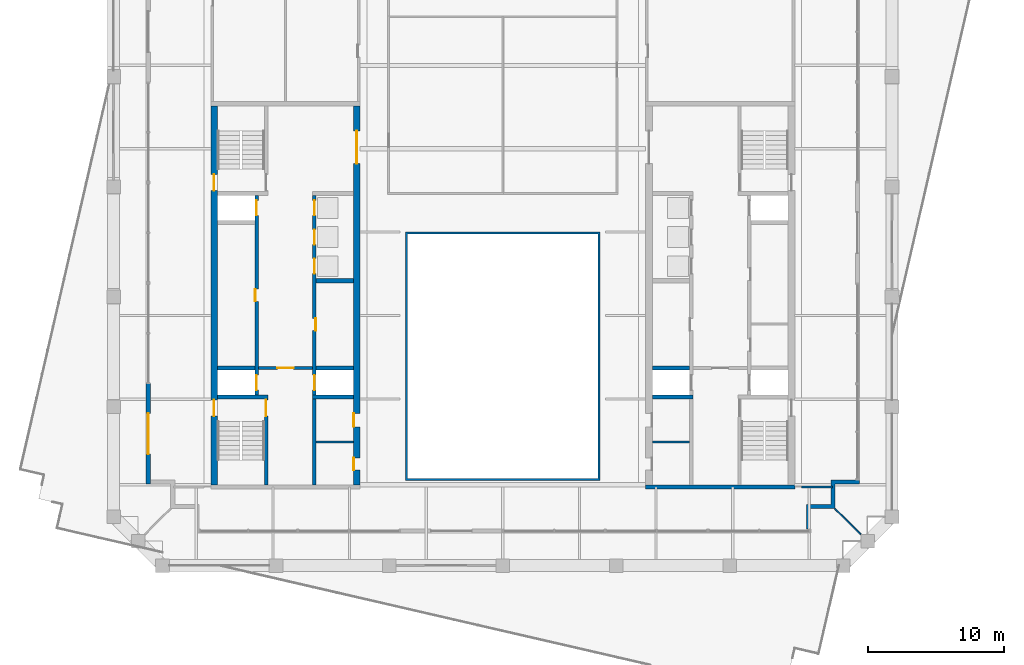
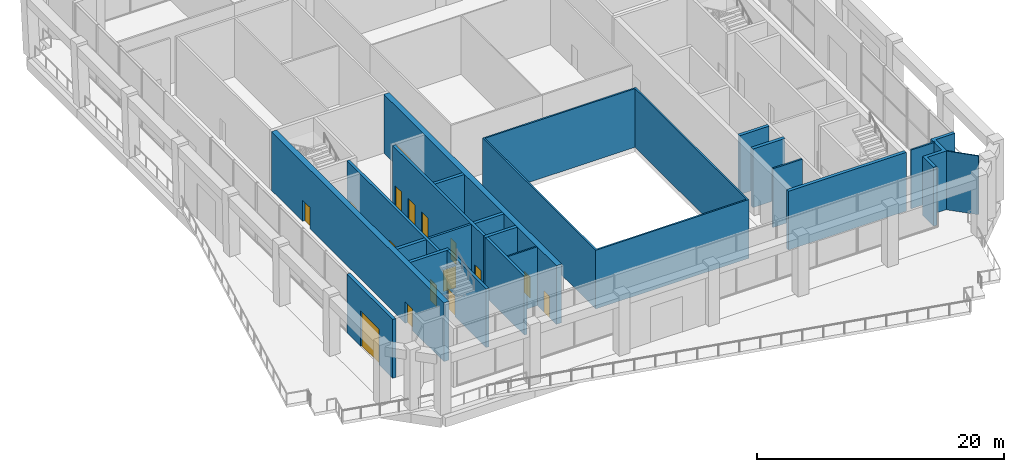
# One storey, part 11 of 20: 21 walls, 16 doors, 16 openings.
"""IFC4 building model written with IfcOpenShell, lengths in metres."""

from ifc_helpers import new_model, si_unit, direction, frame, frame_2d, origin, place, context, subcontext, project, spatial, polyline, rectangle, outline, extrude, material, layer, layer_set, type_object, element, fill, save


model = new_model("IFC4")

# Units and contexts
model_context = context("Model", 3, precision=1e-05, world=origin(), true_north=direction((0.0, 1.0)))
body_context = subcontext(model_context, "Body", "Model", "MODEL_VIEW")
ifc_project = project(units=[si_unit("LENGTHUNIT", "METRE"), si_unit("AREAUNIT", "SQUARE_METRE"), si_unit("VOLUMEUNIT", "CUBIC_METRE"), si_unit("PLANEANGLEUNIT", "RADIAN"), si_unit("MASSUNIT", "GRAM", prefix="KILO")], contexts=[model_context])

# Site, building, storey
site_placement = place(None, origin())
site = spatial("IfcSite", under=ifc_project, at=site_placement, CompositionType="ELEMENT")
building_placement = place(site_placement, origin())
building = spatial("IfcBuilding", under=site, at=building_placement, Name="Ogive Exchange Tower", CompositionType="ELEMENT")
storey_placement = place(building_placement, frame((0.0, 0.0, 303.0)))
storey = spatial("IfcBuildingStorey", under=building, at=storey_placement, Name="L66", CompositionType="ELEMENT", Elevation=303.0)

# Walls
ifc_material_1 = material(Name="Gypsum board partition")
ifc_layer_1 = layer(ifc_material_1, 0.14990234375)
ifc_layer_set_1 = layer_set([ifc_layer_1], Name="Core room partition 150 gypsum")
wall_type_1 = type_object("IfcWallType", Name="Core room partition 150 gypsum", PredefinedType="PARTITIONING", material=ifc_layer_set_1)
for number, where, z_axis, x_axis, name in (
    (1, (-13.75, 0.699951171875, 0.0), (0.0, 0.0, 1.0), (1.0, 0.0, 0.0), "W south room partition"),
    (2, (11.0, 0.699951171875, 0.0), (0.0, 0.0, 1.0), (1.0, 0.0, 0.0), "E south room partition"),
):
    element("IfcWall", number, at=place(storey_placement, frame(where, z_axis=z_axis, x_axis=x_axis)), inside=storey, type_object=wall_type_1, Name=name, PredefinedType="PARTITIONING", context=body_context, shape_type="SweptSolid", body=[
        extrude(rectangle(XDim=2.75, YDim=0.14990234375, at=frame_2d((1.375, 0.0))), origin(), (0.0, 0.0, 1.0), 5.800048828125),
    ])
ifc_material_2 = material(Name="Fire partition EI 60 150")
ifc_layer_2 = layer(ifc_material_2, 0.14990234375)
ifc_layer_set_2 = layer_set([ifc_layer_2], Name="Fire partition EI 60 150")
wall_type_2 = type_object("IfcWallType", Name="Fire partition EI 60 150", PredefinedType="PARTITIONING", material=ifc_layer_set_2)
wall_1_placement = place(storey_placement, frame((22.0, -2.60009765625, 0.0), z_axis=(0.0, 0.0, 1.0), x_axis=(1.0, 0.0, 0.0)))
element("IfcWall", 3, at=wall_1_placement, inside=storey, type_object=wall_type_2, Name="L66-PWL-026", PredefinedType="PARTITIONING", context=body_context, shape_type="SweptSolid", body=[
    extrude(rectangle(XDim=2.25, YDim=0.14990234375, at=frame_2d((1.125, 0.0))), origin(), (0.0, 0.0, 1.0), 5.800048828125),
])
ifc_material_3 = material(Name="Fire-resisting glass in steel frame", Category="steel")
ifc_layer_3 = layer(ifc_material_3, 0.14990234375)
ifc_layer_set_3 = layer_set([ifc_layer_3], Name="Fire-rated glazed wall 150")
wall_type_3 = type_object("IfcWallType", Name="Fire-rated glazed wall 150", PredefinedType="STANDARD", material=ifc_layer_set_3)
wall_2_placement = place(storey_placement, origin())
element("IfcWall", 4, at=wall_2_placement, inside=storey, type_object=wall_type_3, Name="Nave enclosure wall", PredefinedType="STANDARD", context=body_context, shape_type="SweptSolid", body=[
    extrude(outline(polyline([(-7.14990234375, -2.14990234375), (7.14990234375, -2.14990234375), (7.14990234375, 16.14990234375), (-7.14990234375, 16.14990234375), (-7.14990234375, -2.14990234375)]), holes=[polyline([(-7.0, -2.0), (-7.0, 16.0), (7.0, 16.0), (7.0, -2.0), (-7.0, -2.0)])]), origin(), (0.0, 0.0, 1.0), 5.800048828125),
])

# Wall, opening, door
ifc_material_4 = material(Name="Precast concrete C40/50", Category="concrete")
ifc_layer_4 = layer(ifc_material_4, 0.300048828125)
ifc_layer_set_4 = layer_set([ifc_layer_4], Name="Limestone-faced wall 300")
wall_type_4 = type_object("IfcWallType", Name="Limestone-faced wall 300", PredefinedType="STANDARD", material=ifc_layer_set_4)
wall_3_placement = place(storey_placement, frame((-26.10009765625, 5.0, 0.0), z_axis=(0.0, 0.0, 1.0), x_axis=(0.0, -1.0, 0.0)))
wall_3 = element("IfcWall", 5, at=wall_3_placement, inside=storey, type_object=wall_type_4, Name="External wall W6", PredefinedType="STANDARD", context=body_context, shape_type="SweptSolid", body=[
    extrude(rectangle(XDim=7.39990234375, YDim=0.300048828125, at=frame_2d((3.699951171875, 0.0))), origin(), (0.0, 0.0, 1.0), 5.800048828125),
])
opening_1_placement = place(wall_3_placement, frame((2.199951171875, 0.0, 0.0)))
opening_1 = element("IfcOpeningElement", 6, at=opening_1_placement, cuts=wall_3, Name="Opening D2", PredefinedType="OPENING", context=body_context, shape_type="SweptSolid", body=[
    extrude(rectangle(XDim=3.0, YDim=3.5, at=frame_2d((1.5, 1.75))), frame((0.0, 0.159912109375, 0.0), z_axis=(0.0, -1.0, 0.0), x_axis=(1.0, 0.0, 0.0)), (0.0, 0.0, 1.0), 0.320068359375),
])
ifc_material_5 = material(Name="Clear glass in bronze frame", Category="glass")
door_type_1 = type_object("IfcDoorType", Name="Winter garden sliding door 3000 x 3500", OperationType="DOUBLE_DOOR_SLIDING", PredefinedType="DOOR", material=ifc_material_5)
door_1_placement = place(opening_1_placement, origin())
door_1 = element("IfcDoor", 7, at=door_1_placement, inside=storey, type_object=door_type_1, Name="Loggia door W06", OperationType="DOUBLE_DOOR_SLIDING", OverallHeight=3.5, OverallWidth=3.0, PredefinedType="DOOR", context=body_context, shape_type="SweptSolid", body=[
    extrude(rectangle(XDim=3.0, YDim=3.5, at=frame_2d((1.5, 1.75))), frame((0.0, 0.02490234375, 0.0), z_axis=(0.0, -1.0, 0.0), x_axis=(1.0, 0.0, 0.0)), (0.0, 0.0, 1.0), 0.050048828125),
])
fill(opening_1, door_1)

# Walls
wall_4_placement = place(storey_placement, origin())
element("IfcWall", 8, at=wall_4_placement, inside=storey, type_object=wall_type_4, Name="External corner wall C1", PredefinedType="STANDARD", context=body_context, shape_type="SweptSolid", body=[
    extrude(outline(polyline([(24.14990234375, -3.89990234375), (24.14990234375, -2.10009765625), (26.25, -2.10009765625), (26.25, -2.39990234375), (24.449951171875, -2.39990234375), (24.449951171875, -4.199951171875), (22.64990234375, -4.199951171875), (22.64990234375, -5.699951171875), (22.35009765625, -5.699951171875), (22.35009765625, -3.89990234375), (24.14990234375, -3.89990234375)])), origin(), (0.0, 0.0, 1.0), 5.800048828125),
])
ifc_material_6 = material(Name="Laminated safety glass in steel frame", Category="steel")
ifc_layer_5 = layer(ifc_material_6, 0.10009765625)
ifc_layer_set_5 = layer_set([ifc_layer_5], Name="Loggia end screen 100")
wall_type_5 = type_object("IfcWallType", Name="Loggia end screen 100", PredefinedType="STANDARD", material=ifc_layer_set_5)
wall_5_placement = place(storey_placement, frame((24.449951171875, -4.199951171875, 0.0), z_axis=(0.0, 0.0, 1.0), x_axis=(0.707106781187, -0.707106781187, 0.0)))
element("IfcWall", 9, at=wall_5_placement, inside=storey, type_object=wall_type_5, Name="Loggia end screen C1", PredefinedType="STANDARD", context=body_context, shape_type="SweptSolid", body=[
    extrude(rectangle(XDim=2.667236328125, YDim=0.10009765625, at=frame_2d((1.33349609375, 0.0))), origin(), (0.0, 0.0, 1.0), 5.800048828125),
])

# Wall, opening, door
ifc_material_7 = material(Name="Concrete C70/85", Category="concrete")
ifc_layer_6 = layer(ifc_material_7, 0.199951171875)
ifc_layer_set_6 = layer_set([ifc_layer_6], Name="RC core wall 200 C70/85")
wall_type_6 = type_object("IfcWallType", Name="RC core wall 200 C70/85", PredefinedType="SHEAR", material=ifc_layer_set_6)
wall_6_placement = place(storey_placement, frame((-18.0, 6.142822265625, 0.0), z_axis=(0.0, 0.0, 1.0), x_axis=(1.0, 0.0, 0.0)))
wall_6 = element("IfcWall", 10, at=wall_6_placement, inside=storey, type_object=wall_type_6, Name="W firefighting lobby wall", PredefinedType="SHEAR", context=body_context, shape_type="SweptSolid", body=[
    extrude(rectangle(XDim=4.0, YDim=0.199951171875, at=frame_2d((2.0, 0.0))), origin(), (0.0, 0.0, 1.0), 5.800048828125),
])
opening_2_placement = place(wall_6_placement, frame((1.39990234375, 0.0, 0.0)))
opening_2 = element("IfcOpeningElement", 11, at=opening_2_placement, cuts=wall_6, Name="Opening L66-C09", PredefinedType="OPENING", context=body_context, shape_type="SweptSolid", body=[
    extrude(rectangle(XDim=1.199951171875, YDim=2.10009765625, at=frame_2d((0.60009765625, 1.050048828125))), frame((0.0, 0.10986328125, 0.0), z_axis=(0.0, -1.0, 0.0), x_axis=(1.0, 0.0, 0.0)), (0.0, 0.0, 1.0), 0.219970703125),
])
ifc_material_8 = material(Name="Steel fire door", Category="steel")
door_type_2 = type_object("IfcDoorType", Name="Firefighting lobby door FD60 1200 x 2100", OperationType="NOTDEFINED", PredefinedType="DOOR", material=ifc_material_8)
door_2_placement = place(opening_2_placement, frame((1.199951171875, 0.0, 0.0), z_axis=(0.0, 0.0, 1.0), x_axis=(-1.0, 0.0, 0.0)))
door_2 = element("IfcDoor", 12, at=door_2_placement, inside=storey, type_object=door_type_2, Name="Firefighting lobby door", ObjectType="CD3", OperationType="SINGLE_SWING_LEFT", OverallHeight=2.10009765625, OverallWidth=1.199951171875, PredefinedType="DOOR", context=body_context, shape_type="SweptSolid", body=[
    extrude(rectangle(XDim=1.199951171875, YDim=2.10009765625, at=frame_2d((0.60009765625, 1.050048828125))), frame((0.0, 0.02490234375, 0.0), z_axis=(0.0, -1.0, 0.0), x_axis=(1.0, 0.0, 0.0)), (0.0, 0.0, 1.0), 0.050048828125),
])
fill(opening_2, door_2)

ifc_layer_7 = layer(ifc_material_7, 0.25)
ifc_layer_set_7 = layer_set([ifc_layer_7], Name="RC core wall 250 C70/85")
wall_type_7 = type_object("IfcWallType", Name="RC core wall 250 C70/85", PredefinedType="SHEAR", material=ifc_layer_set_7)
wall_7_placement = place(storey_placement, frame((-17.425048828125, -2.449951171875, 0.0), z_axis=(0.0, 0.0, 1.0), x_axis=(0.0, 1.0, 0.0)))
wall_7 = element("IfcWall", 13, at=wall_7_placement, inside=storey, type_object=wall_type_7, Name="W stair S front wall", PredefinedType="SHEAR", context=body_context, shape_type="SweptSolid", body=[
    extrude(rectangle(XDim=6.300048828125, YDim=0.25, at=frame_2d((3.14990234375, 0.0))), origin(), (0.0, 0.0, 1.0), 5.800048828125),
])
opening_3_placement = place(wall_7_placement, frame((5.050048828125, 0.0, 0.0)))
opening_3 = element("IfcOpeningElement", 14, at=opening_3_placement, cuts=wall_7, Name="Opening L66-C11", PredefinedType="OPENING", context=body_context, shape_type="SweptSolid", body=[
    extrude(rectangle(XDim=1.199951171875, YDim=2.10009765625, at=frame_2d((0.60009765625, 1.050048828125))), frame((0.0, 0.135009765625, 0.0), z_axis=(0.0, -1.0, 0.0), x_axis=(1.0, 0.0, 0.0)), (0.0, 0.0, 1.0), 0.27001953125),
])
door_type_3 = type_object("IfcDoorType", Name="Stair door FD90 1200 x 2100", OperationType="NOTDEFINED", PredefinedType="DOOR", material=ifc_material_8)
door_3_placement = place(opening_3_placement, origin())
door_3 = element("IfcDoor", 15, at=door_3_placement, inside=storey, type_object=door_type_3, Name="Stair door", ObjectType="CD5", OperationType="SINGLE_SWING_LEFT", OverallHeight=2.10009765625, OverallWidth=1.199951171875, PredefinedType="DOOR", context=body_context, shape_type="SweptSolid", body=[
    extrude(rectangle(XDim=1.199951171875, YDim=2.10009765625, at=frame_2d((0.60009765625, 1.050048828125))), frame((0.0, 0.02490234375, 0.0), z_axis=(0.0, -1.0, 0.0), x_axis=(1.0, 0.0, 0.0)), (0.0, 0.0, 1.0), 0.050048828125),
])
fill(opening_3, door_3)

# Wall, openings, doors
wall_8_placement = place(storey_placement, frame((-18.125, 4.14990234375, 0.0), z_axis=(0.0, 0.0, 1.0), x_axis=(0.0, 1.0, 0.0)))
wall_8 = element("IfcWall", 16, at=wall_8_placement, inside=storey, type_object=wall_type_7, Name="W row A front wall", PredefinedType="SHEAR", context=body_context, shape_type="SweptSolid", body=[
    extrude(rectangle(XDim=14.7001953125, YDim=0.25, at=frame_2d((7.35009765625, 0.0))), origin(), (0.0, 0.0, 1.0), 5.800048828125),
])
opening_4_placement = place(wall_8_placement, frame((6.89990234375, 0.0, 0.0)))
opening_4 = element("IfcOpeningElement", 17, at=opening_4_placement, cuts=wall_8, Name="Opening L66-C01", PredefinedType="OPENING", context=body_context, shape_type="SweptSolid", body=[
    extrude(rectangle(XDim=0.89990234375, YDim=2.10009765625, at=frame_2d((0.449951171875, 1.050048828125))), frame((0.0, 0.135009765625, 0.0), z_axis=(0.0, -1.0, 0.0), x_axis=(1.0, 0.0, 0.0)), (0.0, 0.0, 1.0), 0.27001953125),
])
opening_5_placement = place(wall_8_placement, frame((0.371337890625, 0.0, 0.0)))
opening_5 = element("IfcOpeningElement", 18, at=opening_5_placement, cuts=wall_8, Name="Opening L66-C02", PredefinedType="OPENING", context=body_context, shape_type="SweptSolid", body=[
    extrude(rectangle(XDim=1.10009765625, YDim=2.10009765625, at=frame_2d((0.550048828125, 1.050048828125))), frame((0.0, 0.135009765625, 0.0), z_axis=(0.0, -1.0, 0.0), x_axis=(1.0, 0.0, 0.0)), (0.0, 0.0, 1.0), 0.27001953125),
])
opening_6_placement = place(wall_8_placement, frame((13.228515625, 0.0, 0.0)))
opening_6 = element("IfcOpeningElement", 19, at=opening_6_placement, cuts=wall_8, Name="Opening L66-C03", PredefinedType="OPENING", context=body_context, shape_type="SweptSolid", body=[
    extrude(rectangle(XDim=1.10009765625, YDim=2.10009765625, at=frame_2d((0.550048828125, 1.050048828125))), frame((0.0, 0.135009765625, 0.0), z_axis=(0.0, -1.0, 0.0), x_axis=(1.0, 0.0, 0.0)), (0.0, 0.0, 1.0), 0.27001953125),
])
ifc_material_9 = material(Name="Timber fire door", Category="wood")
door_type_4 = type_object("IfcDoorType", Name="Core room door FD30S 900 x 2100", OperationType="NOTDEFINED", PredefinedType="DOOR", material=ifc_material_9)
door_4_placement = place(opening_4_placement, origin())
door_4 = element("IfcDoor", 20, at=door_4_placement, inside=storey, type_object=door_type_4, Name="Core room door", ObjectType="CD6", OperationType="SINGLE_SWING_RIGHT", OverallHeight=2.10009765625, OverallWidth=0.89990234375, PredefinedType="DOOR", context=body_context, shape_type="SweptSolid", body=[
    extrude(rectangle(XDim=0.89990234375, YDim=2.10009765625, at=frame_2d((0.449951171875, 1.050048828125))), frame((0.0, 0.125, 0.0), z_axis=(0.0, -1.0, 0.0), x_axis=(1.0, 0.0, 0.0)), (0.0, 0.0, 1.0), 0.050048828125),
])
fill(opening_4, door_4)
ifc_material_10 = material(Name="Stainless steel", Category="steel")
door_type_5 = type_object("IfcDoorType", Name="Lift landing door FD90 1100 x 2100", OperationType="SLIDING_TO_LEFT", PredefinedType="DOOR", material=ifc_material_10)
door_5_placement = place(opening_5_placement, origin())
door_5 = element("IfcDoor", 21, at=door_5_placement, inside=storey, type_object=door_type_5, Name="Lift landing door FF1", ObjectType="LD", OperationType="SLIDING_TO_LEFT", OverallHeight=2.10009765625, OverallWidth=1.10009765625, PredefinedType="DOOR", context=body_context, shape_type="SweptSolid", body=[
    extrude(rectangle(XDim=1.10009765625, YDim=2.10009765625, at=frame_2d((0.550048828125, 1.050048828125))), frame((0.0, 0.02490234375, 0.0), z_axis=(0.0, -1.0, 0.0), x_axis=(1.0, 0.0, 0.0)), (0.0, 0.0, 1.0), 0.050048828125),
])
fill(opening_5, door_5)
door_6_placement = place(opening_6_placement, origin())
door_6 = element("IfcDoor", 22, at=door_6_placement, inside=storey, type_object=door_type_5, Name="Lift landing door W-SH2", ObjectType="LD", OperationType="SLIDING_TO_LEFT", OverallHeight=2.10009765625, OverallWidth=1.10009765625, PredefinedType="DOOR", context=body_context, shape_type="SweptSolid", body=[
    extrude(rectangle(XDim=1.10009765625, YDim=2.10009765625, at=frame_2d((0.550048828125, 1.050048828125))), frame((0.0, 0.02490234375, 0.0), z_axis=(0.0, -1.0, 0.0), x_axis=(1.0, 0.0, 0.0)), (0.0, 0.0, 1.0), 0.050048828125),
])
fill(opening_6, door_6)

wall_9_placement = place(storey_placement, frame((-13.875, -2.449951171875, 0.0), z_axis=(0.0, 0.0, 1.0), x_axis=(0.0, 1.0, 0.0)))
wall_9 = element("IfcWall", 23, at=wall_9_placement, inside=storey, type_object=wall_type_7, Name="W row B front wall", PredefinedType="SHEAR", context=body_context, shape_type="SweptSolid", body=[
    extrude(rectangle(XDim=21.300048828125, YDim=0.25, at=frame_2d((10.64990234375, 0.0))), origin(), (0.0, 0.0, 1.0), 5.800048828125),
])
opening_7_placement = place(wall_9_placement, frame((11.357177734375, 0.0, 0.0)))
opening_7 = element("IfcOpeningElement", 24, at=opening_7_placement, cuts=wall_9, Name="Opening L66-C04", PredefinedType="OPENING", context=body_context, shape_type="SweptSolid", body=[
    extrude(rectangle(XDim=0.89990234375, YDim=2.10009765625, at=frame_2d((0.449951171875, 1.050048828125))), frame((0.0, 0.135009765625, 0.0), z_axis=(0.0, -1.0, 0.0), x_axis=(1.0, 0.0, 0.0)), (0.0, 0.0, 1.0), 0.27001953125),
])
opening_8_placement = place(wall_9_placement, frame((6.971435546875, 0.0, 0.0)))
opening_8 = element("IfcOpeningElement", 25, at=opening_8_placement, cuts=wall_9, Name="Opening L66-C05", PredefinedType="OPENING", context=body_context, shape_type="SweptSolid", body=[
    extrude(rectangle(XDim=1.10009765625, YDim=2.10009765625, at=frame_2d((0.550048828125, 1.050048828125))), frame((0.0, 0.135009765625, 0.0), z_axis=(0.0, -1.0, 0.0), x_axis=(1.0, 0.0, 0.0)), (0.0, 0.0, 1.0), 0.27001953125),
])
opening_9_placement = place(wall_9_placement, frame((15.54296875, 0.0, 0.0)))
opening_9 = element("IfcOpeningElement", 26, at=opening_9_placement, cuts=wall_9, Name="Opening L66-C06", PredefinedType="OPENING", context=body_context, shape_type="SweptSolid", body=[
    extrude(rectangle(XDim=1.10009765625, YDim=2.10009765625, at=frame_2d((0.550048828125, 1.050048828125))), frame((0.0, 0.135009765625, 0.0), z_axis=(0.0, -1.0, 0.0), x_axis=(1.0, 0.0, 0.0)), (0.0, 0.0, 1.0), 0.27001953125),
])
opening_10_placement = place(wall_9_placement, frame((17.685791015625, 0.0, 0.0)))
opening_10 = element("IfcOpeningElement", 27, at=opening_10_placement, cuts=wall_9, Name="Opening L66-C07", PredefinedType="OPENING", context=body_context, shape_type="SweptSolid", body=[
    extrude(rectangle(XDim=1.10009765625, YDim=2.10009765625, at=frame_2d((0.550048828125, 1.050048828125))), frame((0.0, 0.135009765625, 0.0), z_axis=(0.0, -1.0, 0.0), x_axis=(1.0, 0.0, 0.0)), (0.0, 0.0, 1.0), 0.27001953125),
])
opening_11_placement = place(wall_9_placement, frame((19.82861328125, 0.0, 0.0)))
opening_11 = element("IfcOpeningElement", 28, at=opening_11_placement, cuts=wall_9, Name="Opening L66-C08", PredefinedType="OPENING", context=body_context, shape_type="SweptSolid", body=[
    extrude(rectangle(XDim=1.10009765625, YDim=2.10009765625, at=frame_2d((0.550048828125, 1.050048828125))), frame((0.0, 0.135009765625, 0.0), z_axis=(0.0, -1.0, 0.0), x_axis=(1.0, 0.0, 0.0)), (0.0, 0.0, 1.0), 0.27001953125),
])
door_7_placement = place(opening_7_placement, frame((0.89990234375, -0.2001953125, 0.0), z_axis=(0.0, 0.0, 1.0), x_axis=(-1.0, 0.0, 0.0)))
door_7 = element("IfcDoor", 29, at=door_7_placement, inside=storey, type_object=door_type_4, Name="Core room door", ObjectType="CD6", OperationType="SINGLE_SWING_RIGHT", OverallHeight=2.10009765625, OverallWidth=0.89990234375, PredefinedType="DOOR", context=body_context, shape_type="SweptSolid", body=[
    extrude(rectangle(XDim=0.89990234375, YDim=2.10009765625, at=frame_2d((0.449951171875, 1.050048828125))), frame((0.0, -0.0751953125, 0.0), z_axis=(0.0, -1.0, 0.0), x_axis=(1.0, 0.0, 0.0)), (0.0, 0.0, 1.0), 0.050048828125),
])
fill(opening_7, door_7)
door_8_placement = place(opening_8_placement, origin())
door_8 = element("IfcDoor", 30, at=door_8_placement, inside=storey, type_object=door_type_5, Name="Lift landing door SV1", ObjectType="LD", OperationType="SLIDING_TO_LEFT", OverallHeight=2.10009765625, OverallWidth=1.10009765625, PredefinedType="DOOR", context=body_context, shape_type="SweptSolid", body=[
    extrude(rectangle(XDim=1.10009765625, YDim=2.10009765625, at=frame_2d((0.550048828125, 1.050048828125))), frame((0.0, 0.02490234375, 0.0), z_axis=(0.0, -1.0, 0.0), x_axis=(1.0, 0.0, 0.0)), (0.0, 0.0, 1.0), 0.050048828125),
])
fill(opening_8, door_8)
door_9_placement = place(opening_9_placement, origin())
door_9 = element("IfcDoor", 31, at=door_9_placement, inside=storey, type_object=door_type_5, Name="Lift landing door W-H1", ObjectType="LD", OperationType="SLIDING_TO_LEFT", OverallHeight=2.10009765625, OverallWidth=1.10009765625, PredefinedType="DOOR", context=body_context, shape_type="SweptSolid", body=[
    extrude(rectangle(XDim=1.10009765625, YDim=2.10009765625, at=frame_2d((0.550048828125, 1.050048828125))), frame((0.0, 0.02490234375, 0.0), z_axis=(0.0, -1.0, 0.0), x_axis=(1.0, 0.0, 0.0)), (0.0, 0.0, 1.0), 0.050048828125),
])
fill(opening_9, door_9)
door_10_placement = place(opening_10_placement, origin())
door_10 = element("IfcDoor", 32, at=door_10_placement, inside=storey, type_object=door_type_5, Name="Lift landing door W-H2", ObjectType="LD", OperationType="SLIDING_TO_LEFT", OverallHeight=2.10009765625, OverallWidth=1.10009765625, PredefinedType="DOOR", context=body_context, shape_type="SweptSolid", body=[
    extrude(rectangle(XDim=1.10009765625, YDim=2.10009765625, at=frame_2d((0.550048828125, 1.050048828125))), frame((0.0, 0.02490234375, 0.0), z_axis=(0.0, -1.0, 0.0), x_axis=(1.0, 0.0, 0.0)), (0.0, 0.0, 1.0), 0.050048828125),
])
fill(opening_10, door_10)
door_11_placement = place(opening_11_placement, origin())
door_11 = element("IfcDoor", 33, at=door_11_placement, inside=storey, type_object=door_type_5, Name="Lift landing door W-H3", ObjectType="LD", OperationType="SLIDING_TO_LEFT", OverallHeight=2.10009765625, OverallWidth=1.10009765625, PredefinedType="DOOR", context=body_context, shape_type="SweptSolid", body=[
    extrude(rectangle(XDim=1.10009765625, YDim=2.10009765625, at=frame_2d((0.550048828125, 1.050048828125))), frame((0.0, 0.02490234375, 0.0), z_axis=(0.0, -1.0, 0.0), x_axis=(1.0, 0.0, 0.0)), (0.0, 0.0, 1.0), 0.050048828125),
])
fill(opening_11, door_11)

# Walls
ifc_layer_8 = layer(ifc_material_7, 0.300048828125)
ifc_layer_set_8 = layer_set([ifc_layer_8], Name="RC core wall 300 C70/85")
wall_type_8 = type_object("IfcWallType", Name="RC core wall 300 C70/85", PredefinedType="SHEAR", material=ifc_layer_set_8)
wall_10_placement = place(storey_placement, frame((-21.0, 4.0, 0.0), z_axis=(0.0, 0.0, 1.0), x_axis=(1.0, 0.0, 0.0)))
element("IfcWall", 34, at=wall_10_placement, inside=storey, type_object=wall_type_8, Name="W stair S north wall", PredefinedType="SHEAR", context=body_context, shape_type="SweptSolid", body=[
    extrude(rectangle(XDim=3.699951171875, YDim=0.300048828125, at=frame_2d((1.85009765625, 0.0))), origin(), (0.0, 0.0, 1.0), 5.800048828125),
])
wall_11_placement = place(storey_placement, frame((-21.0, 6.142822265625, 0.0), z_axis=(0.0, 0.0, 1.0), x_axis=(1.0, 0.0, 0.0)))
element("IfcWall", 35, at=wall_11_placement, inside=storey, type_object=wall_type_8, Name="W row A divider 1", PredefinedType="SHEAR", context=body_context, shape_type="SweptSolid", body=[
    extrude(rectangle(XDim=2.75, YDim=0.300048828125, at=frame_2d((1.375, 0.0))), origin(), (0.0, 0.0, 1.0), 5.800048828125),
])
wall_12_placement = place(storey_placement, frame((-14.0, 4.0, 0.0), z_axis=(0.0, 0.0, 1.0), x_axis=(1.0, 0.0, 0.0)))
element("IfcWall", 36, at=wall_12_placement, inside=storey, type_object=wall_type_8, Name="W row B divider 0", PredefinedType="SHEAR", context=body_context, shape_type="SweptSolid", body=[
    extrude(rectangle(XDim=3.0, YDim=0.300048828125, at=frame_2d((1.5, 0.0))), origin(), (0.0, 0.0, 1.0), 5.800048828125),
])
for number, where, z_axis, x_axis, name in (
    (37, (-13.75, 6.142822265625, 0.0), (0.0, 0.0, 1.0), (1.0, 0.0, 0.0), "W row B divider 1"),
    (38, (-13.75, 12.5712890625, 0.0), (0.0, 0.0, 1.0), (1.0, 0.0, 0.0), "W row B divider 4"),
):
    element("IfcWall", number, at=place(storey_placement, frame(where, z_axis=z_axis, x_axis=x_axis)), inside=storey, type_object=wall_type_8, Name=name, PredefinedType="SHEAR", context=body_context, shape_type="SweptSolid", body=[
        extrude(rectangle(XDim=2.75, YDim=0.300048828125, at=frame_2d((1.375, 0.0))), origin(), (0.0, 0.0, 1.0), 5.800048828125),
    ])
wall_13_placement = place(storey_placement, frame((10.5, -2.60009765625, 0.0), z_axis=(0.0, 0.0, 1.0), x_axis=(1.0, 0.0, 0.0)))
element("IfcWall", 39, at=wall_13_placement, inside=storey, type_object=wall_type_8, Name="E south end wall", PredefinedType="SHEAR", context=body_context, shape_type="SweptSolid", body=[
    extrude(rectangle(XDim=11.0, YDim=0.300048828125, at=frame_2d((5.5, 0.0))), origin(), (0.0, 0.0, 1.0), 5.800048828125),
])
wall_14_placement = place(storey_placement, frame((11.0, 4.0, 0.0), z_axis=(0.0, 0.0, 1.0), x_axis=(1.0, 0.0, 0.0)))
element("IfcWall", 40, at=wall_14_placement, inside=storey, type_object=wall_type_8, Name="E row B divider 0", PredefinedType="SHEAR", context=body_context, shape_type="SweptSolid", body=[
    extrude(rectangle(XDim=3.0, YDim=0.300048828125, at=frame_2d((1.5, 0.0))), origin(), (0.0, 0.0, 1.0), 5.800048828125),
])
wall_15_placement = place(storey_placement, frame((11.0, 6.142822265625, 0.0), z_axis=(0.0, 0.0, 1.0), x_axis=(1.0, 0.0, 0.0)))
element("IfcWall", 41, at=wall_15_placement, inside=storey, type_object=wall_type_8, Name="E row B divider 1", PredefinedType="SHEAR", context=body_context, shape_type="SweptSolid", body=[
    extrude(rectangle(XDim=2.75, YDim=0.300048828125, at=frame_2d((1.375, 0.0))), origin(), (0.0, 0.0, 1.0), 5.800048828125),
])

# Wall, openings, doors
ifc_layer_9 = layer(ifc_material_7, 0.5)
ifc_layer_set_9 = layer_set([ifc_layer_9], Name="RC core wall 500 C70/85")
wall_type_9 = type_object("IfcWallType", Name="RC core wall 500 C70/85", PredefinedType="SHEAR", material=ifc_layer_set_9)
wall_16_placement = place(storey_placement, frame((-21.25, -2.449951171875, 0.0), z_axis=(0.0, 0.0, 1.0), x_axis=(0.0, 1.0, 0.0)))
wall_16 = element("IfcWall", 42, at=wall_16_placement, inside=storey, type_object=wall_type_9, Name="W outer wall", PredefinedType="SHEAR", context=body_context, shape_type="SweptSolid", body=[
    extrude(rectangle(XDim=27.89990234375, YDim=0.5, at=frame_2d((13.949951171875, 0.0))), origin(), (0.0, 0.0, 1.0), 5.800048828125),
])
opening_12_placement = place(wall_16_placement, frame((5.050048828125, 0.0, 0.0)))
opening_12 = element("IfcOpeningElement", 43, at=opening_12_placement, cuts=wall_16, Name="Opening L66-C12", PredefinedType="OPENING", context=body_context, shape_type="SweptSolid", body=[
    extrude(rectangle(XDim=1.199951171875, YDim=2.10009765625, at=frame_2d((0.60009765625, 1.050048828125))), frame((0.0, 0.260009765625, 0.0), z_axis=(0.0, -1.0, 0.0), x_axis=(1.0, 0.0, 0.0)), (0.0, 0.0, 1.0), 0.52001953125),
])
opening_13_placement = place(wall_16_placement, frame((21.64990234375, 0.0, 0.0)))
opening_13 = element("IfcOpeningElement", 44, at=opening_13_placement, cuts=wall_16, Name="Opening L66-C14", PredefinedType="OPENING", context=body_context, shape_type="SweptSolid", body=[
    extrude(rectangle(XDim=1.199951171875, YDim=2.10009765625, at=frame_2d((0.60009765625, 1.050048828125))), frame((0.0, 0.260009765625, 0.0), z_axis=(0.0, -1.0, 0.0), x_axis=(1.0, 0.0, 0.0)), (0.0, 0.0, 1.0), 0.52001953125),
])
door_12_placement = place(opening_12_placement, origin())
door_12 = element("IfcDoor", 45, at=door_12_placement, inside=storey, type_object=door_type_3, Name="Stair door", ObjectType="CD5", OperationType="SINGLE_SWING_LEFT", OverallHeight=2.10009765625, OverallWidth=1.199951171875, PredefinedType="DOOR", context=body_context, shape_type="SweptSolid", body=[
    extrude(rectangle(XDim=1.199951171875, YDim=2.10009765625, at=frame_2d((0.60009765625, 1.050048828125))), frame((0.0, 0.02490234375, 0.0), z_axis=(0.0, -1.0, 0.0), x_axis=(1.0, 0.0, 0.0)), (0.0, 0.0, 1.0), 0.050048828125),
])
fill(opening_12, door_12)
door_13_placement = place(opening_13_placement, origin())
door_13 = element("IfcDoor", 46, at=door_13_placement, inside=storey, type_object=door_type_3, Name="Stair door", ObjectType="CD5", OperationType="SINGLE_SWING_RIGHT", OverallHeight=2.10009765625, OverallWidth=1.199951171875, PredefinedType="DOOR", context=body_context, shape_type="SweptSolid", body=[
    extrude(rectangle(XDim=1.199951171875, YDim=2.10009765625, at=frame_2d((0.60009765625, 1.050048828125))), frame((0.0, 0.02490234375, 0.0), z_axis=(0.0, -1.0, 0.0), x_axis=(1.0, 0.0, 0.0)), (0.0, 0.0, 1.0), 0.050048828125),
])
fill(opening_13, door_13)

wall_17_placement = place(storey_placement, frame((-10.75, -2.449951171875, 0.0), z_axis=(0.0, 0.0, 1.0), x_axis=(0.0, 1.0, 0.0)))
wall_17 = element("IfcWall", 47, at=wall_17_placement, inside=storey, type_object=wall_type_9, Name="W inner wall", PredefinedType="SHEAR", context=body_context, shape_type="SweptSolid", body=[
    extrude(rectangle(XDim=27.89990234375, YDim=0.5, at=frame_2d((13.949951171875, 0.0))), origin(), (0.0, 0.0, 1.0), 5.800048828125),
])
opening_14_placement = place(wall_17_placement, frame((23.64990234375, 0.0, 0.0)))
opening_14 = element("IfcOpeningElement", 48, at=opening_14_placement, cuts=wall_17, Name="Opening L66-C10", PredefinedType="OPENING", context=body_context, shape_type="SweptSolid", body=[
    extrude(rectangle(XDim=2.39990234375, YDim=2.10009765625, at=frame_2d((1.199951171875, 1.050048828125))), frame((0.0, 0.260009765625, 0.0), z_axis=(0.0, -1.0, 0.0), x_axis=(1.0, 0.0, 0.0)), (0.0, 0.0, 1.0), 0.52001953125),
])
opening_15_placement = place(wall_17_placement, frame((1.08740234375, 0.0, 0.0)))
opening_15 = element("IfcOpeningElement", 49, at=opening_15_placement, cuts=wall_17, Name="Opening L66-C15", PredefinedType="OPENING", context=body_context, shape_type="SweptSolid", body=[
    extrude(rectangle(XDim=0.89990234375, YDim=2.10009765625, at=frame_2d((0.449951171875, 1.050048828125))), frame((0.0, 0.260009765625, 0.0), z_axis=(0.0, -1.0, 0.0), x_axis=(1.0, 0.0, 0.0)), (0.0, 0.0, 1.0), 0.52001953125),
])
opening_16_placement = place(wall_17_placement, frame((4.262451171875, 0.0, 0.0)))
opening_16 = element("IfcOpeningElement", 50, at=opening_16_placement, cuts=wall_17, Name="Opening L66-C16", PredefinedType="OPENING", context=body_context, shape_type="SweptSolid", body=[
    extrude(rectangle(XDim=1.0, YDim=2.10009765625, at=frame_2d((0.5, 1.050048828125))), frame((0.0, 0.260009765625, 0.0), z_axis=(0.0, -1.0, 0.0), x_axis=(1.0, 0.0, 0.0)), (0.0, 0.0, 1.0), 0.52001953125),
])
door_type_6 = type_object("IfcDoorType", Name="Accessible WC door FD30S 1000 x 2100", OperationType="NOTDEFINED", PredefinedType="DOOR", material=ifc_material_9)
door_14_placement = place(opening_16_placement, frame((1.0, 0.4501953125, 0.0), z_axis=(0.0, 0.0, 1.0), x_axis=(-1.0, 0.0, 0.0)))
door_14 = element("IfcDoor", 51, at=door_14_placement, inside=storey, type_object=door_type_6, Name="Accessible WC door", ObjectType="CD7", OperationType="SINGLE_SWING_LEFT", OverallHeight=2.10009765625, OverallWidth=1.0, PredefinedType="DOOR", context=body_context, shape_type="SweptSolid", body=[
    extrude(rectangle(XDim=1.0, YDim=2.10009765625, at=frame_2d((0.5, 1.050048828125))), frame((0.0, 0.25, 0.0), z_axis=(0.0, -1.0, 0.0), x_axis=(1.0, 0.0, 0.0)), (0.0, 0.0, 1.0), 0.050048828125),
])
fill(opening_16, door_14)
door_15_placement = place(opening_15_placement, frame((0.89990234375, 0.4501953125, 0.0), z_axis=(0.0, 0.0, 1.0), x_axis=(-1.0, 0.0, 0.0)))
door_15 = element("IfcDoor", 52, at=door_15_placement, inside=storey, type_object=door_type_4, Name="Core room door", ObjectType="CD6", OperationType="SINGLE_SWING_LEFT", OverallHeight=2.10009765625, OverallWidth=0.89990234375, PredefinedType="DOOR", context=body_context, shape_type="SweptSolid", body=[
    extrude(rectangle(XDim=0.89990234375, YDim=2.10009765625, at=frame_2d((0.449951171875, 1.050048828125))), frame((0.0, 0.25, 0.0), z_axis=(0.0, -1.0, 0.0), x_axis=(1.0, 0.0, 0.0)), (0.0, 0.0, 1.0), 0.050048828125),
])
fill(opening_15, door_15)
ifc_material_11 = material(Name="Glazed steel fire door", Category="steel")
door_type_7 = type_object("IfcDoorType", Name="Lift lobby double door FD60 2400 x 2100", OperationType="DOUBLE_DOOR_SINGLE_SWING", PredefinedType="DOOR", material=ifc_material_11)
door_16_placement = place(opening_14_placement, frame((2.39990234375, 0.0, 0.0), z_axis=(0.0, 0.0, 1.0), x_axis=(-1.0, 0.0, 0.0)))
door_16 = element("IfcDoor", 53, at=door_16_placement, inside=storey, type_object=door_type_7, Name="Lift lobby double door", ObjectType="CD4", OperationType="DOUBLE_DOOR_SINGLE_SWING", OverallHeight=2.10009765625, OverallWidth=2.39990234375, PredefinedType="DOOR", context=body_context, shape_type="SweptSolid", body=[
    extrude(rectangle(XDim=2.39990234375, YDim=2.10009765625, at=frame_2d((1.199951171875, 1.050048828125))), frame((0.0, 0.02490234375, 0.0), z_axis=(0.0, -1.0, 0.0), x_axis=(1.0, 0.0, 0.0)), (0.0, 0.0, 1.0), 0.050048828125),
])
fill(opening_14, door_16)

save(model, "model.ifc")
